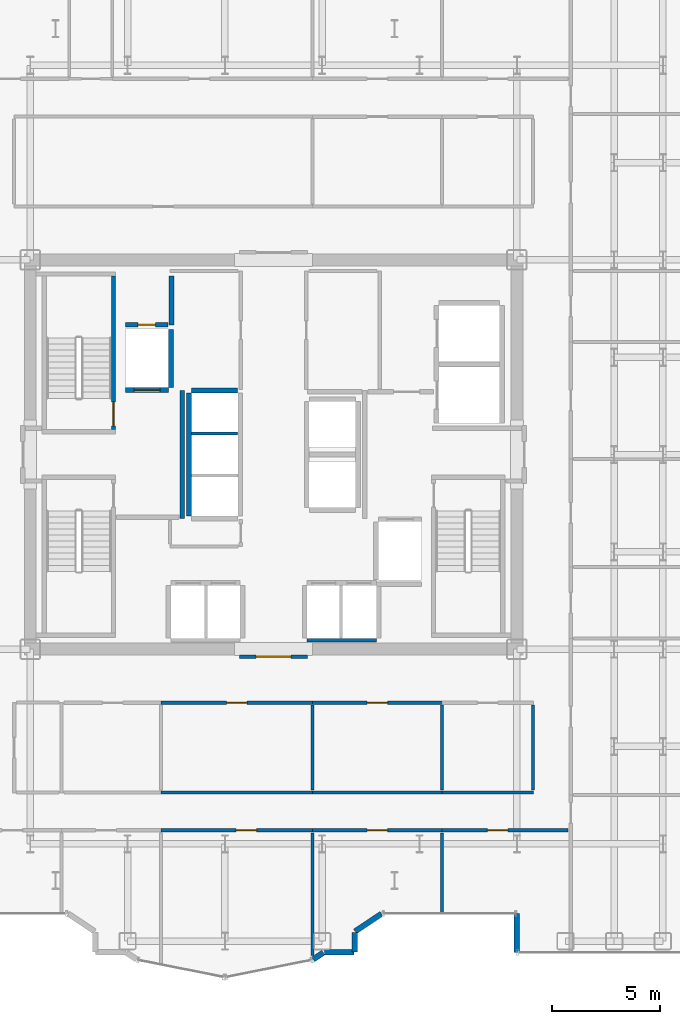
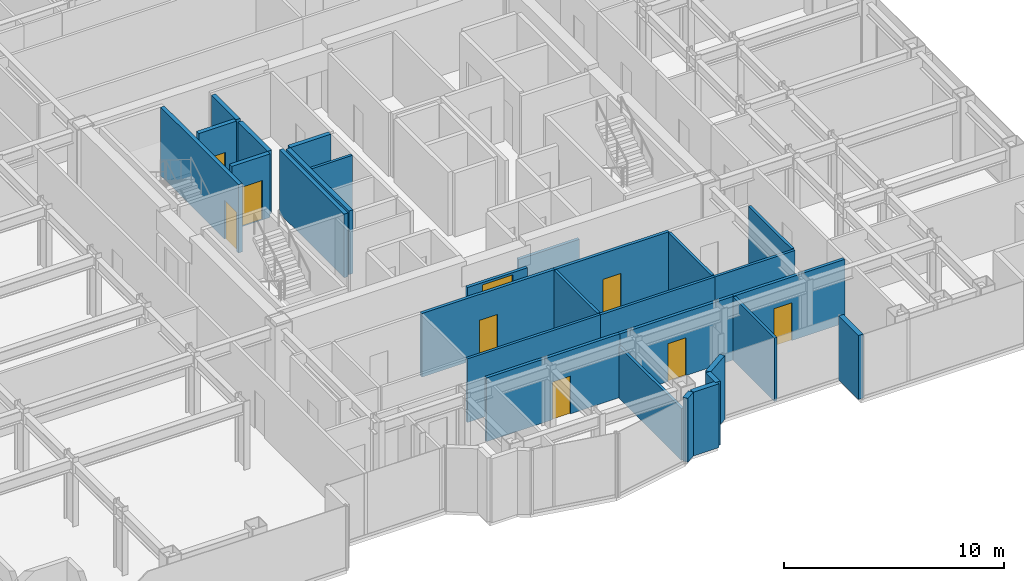
# One storey, part 18 of 23: 29 walls, 9 doors, 9 openings.
"""IFC4 building model written with IfcOpenShell, lengths in metres."""

from ifc_helpers import new_model, si_unit, direction, frame, frame_2d, origin, place, context, subcontext, project, spatial, rectangle, extrude, source, transform, mapped, material, layer, layer_set, type_object, element, fill, save


model = new_model("IFC4")

# Units and contexts
model_context = context("Model", 3, precision=1e-05, world=origin(), true_north=direction((0.0, 1.0)))
body_context = subcontext(model_context, "Body", "Model", "MODEL_VIEW")
ifc_project = project(units=[si_unit("LENGTHUNIT", "METRE"), si_unit("AREAUNIT", "SQUARE_METRE"), si_unit("VOLUMEUNIT", "CUBIC_METRE"), si_unit("PLANEANGLEUNIT", "RADIAN"), si_unit("MASSUNIT", "GRAM", prefix="KILO")], contexts=[model_context])

# Site, building, storey
site_placement = place(None, origin())
site = spatial("IfcSite", under=ifc_project, at=site_placement, CompositionType="ELEMENT")
building_placement = place(site_placement, origin())
building = spatial("IfcBuilding", under=site, at=building_placement, Name="Nefas-Gora Pilgrimage Tower", CompositionType="ELEMENT")
storey_placement = place(building_placement, frame((0.0, 0.0, 175.39990234375)))
storey = spatial("IfcBuildingStorey", under=building, at=storey_placement, Name="L43", CompositionType="ELEMENT", Elevation=175.39990234375)

# Walls
ifc_material_1 = material(Name="Precast concrete C40/50", Category="concrete")
ifc_layer_1 = layer(ifc_material_1, 0.260009765625)
ifc_layer_set_1 = layer_set([ifc_layer_1], Name="Precast concrete C40/50")
wall_type_1 = type_object("IfcWallType", Name="EW-PORTAL-260", PredefinedType="SOLIDWALL", material=ifc_layer_set_1)
shared_shape_1 = source(origin(), body_context, "Body", "SweptSolid", [
    extrude(rectangle(XDim=1.800048828125, YDim=0.260009765625, at=frame_2d((0.89990234375, 0.0))), origin(), (0.0, 0.0, 1.0), 3.550048828125),
])
wall_1_placement = place(storey_placement, frame((11.25, -21.219970703125, 0.0), z_axis=(0.0, 0.0, 1.0), x_axis=(0.0, -1.0, 0.0)))
element("IfcWall", 1, at=wall_1_placement, inside=storey, type_object=wall_type_1, Name="L43 Lobe Shoulder Precast Spandrel Pier 1", PredefinedType="SOLIDWALL", context=body_context, shape_type="MappedRepresentation", body=[
    mapped(shared_shape_1, transform((0.0, 0.0, 0.0), x_axis=(1.0, 0.0, 0.0), y_axis=(0.0, 1.0, 0.0), z_axis=(0.0, 0.0, 1.0), scale=1.0)),
])
shared_shape_2 = source(origin(), body_context, "Body", "SweptSolid", [
    extrude(rectangle(XDim=1.468994140625, YDim=0.260009765625, at=frame_2d((0.734375, 0.0))), origin(), (0.0, 0.0, 1.0), 3.550048828125),
])
wall_2_placement = place(storey_placement, frame((3.773193359375, -22.0517578125, 0.0), z_axis=(0.0, 0.0, 1.0), x_axis=(0.831461760506, 0.555581983884, 0.0)))
element("IfcWall", 2, at=wall_2_placement, inside=storey, type_object=wall_type_1, Name="L43 Lobe Shoulder Precast Spandrel Pier 36", PredefinedType="SOLIDWALL", context=body_context, shape_type="MappedRepresentation", body=[
    mapped(shared_shape_2, transform((0.0, 0.0, 0.0), x_axis=(1.0, 0.0, 0.0), y_axis=(0.0, 1.0, 0.0), z_axis=(0.0, 0.0, 1.0), scale=1.0)),
])
shared_shape_3 = source(origin(), body_context, "Body", "SweptSolid", [
    extrude(rectangle(XDim=0.896728515625, YDim=0.260009765625, at=frame_2d((0.4482421875, 0.0))), origin(), (0.0, 0.0, 1.0), 3.550048828125),
])
wall_3_placement = place(storey_placement, frame((3.75, -22.991943359375, 0.0), z_axis=(0.0, 0.0, 1.0), x_axis=(0.0, 1.0, 0.0)))
element("IfcWall", 3, at=wall_3_placement, inside=storey, type_object=wall_type_1, Name="L43 Lobe Shoulder Precast Spandrel Pier 35", PredefinedType="SOLIDWALL", context=body_context, shape_type="MappedRepresentation", body=[
    mapped(shared_shape_3, transform((0.0, 0.0, 0.0), x_axis=(1.0, 0.0, 0.0), y_axis=(0.0, 1.0, 0.0), z_axis=(0.0, 0.0, 1.0), scale=1.0)),
])
shared_shape_4 = source(origin(), body_context, "Body", "SweptSolid", [
    extrude(rectangle(XDim=1.369873046875, YDim=0.260009765625, at=frame_2d((0.68505859375, 0.0))), origin(), (0.0, 0.0, 1.0), 3.550048828125),
])
wall_4_placement = place(storey_placement, frame((2.35205078125, -23.02001953125, 0.0), z_axis=(0.0, 0.0, 1.0), x_axis=(1.0, 0.0, 0.0)))
element("IfcWall", 4, at=wall_4_placement, inside=storey, type_object=wall_type_1, Name="L43 Lobe Shoulder Precast Spandrel Pier 34", PredefinedType="SOLIDWALL", context=body_context, shape_type="MappedRepresentation", body=[
    mapped(shared_shape_4, transform((0.0, 0.0, 0.0), x_axis=(1.0, 0.0, 0.0), y_axis=(0.0, 1.0, 0.0), z_axis=(0.0, 0.0, 1.0), scale=1.0)),
])
shared_shape_5 = source(origin(), body_context, "Body", "SweptSolid", [
    extrude(rectangle(XDim=0.5654296875, YDim=0.260009765625, at=frame_2d((0.28271484375, 0.0))), origin(), (0.0, 0.0, 1.0), 3.550048828125),
])
wall_5_placement = place(storey_placement, frame((1.83056640625, -23.349609375, 0.0), z_axis=(0.0, 0.0, 1.0), x_axis=(0.831651492666, 0.555297933317, 0.0)))
element("IfcWall", 5, at=wall_5_placement, inside=storey, type_object=wall_type_1, Name="L43 Lobe Shoulder Precast Spandrel Pier 33", PredefinedType="SOLIDWALL", context=body_context, shape_type="MappedRepresentation", body=[
    mapped(shared_shape_5, transform((0.0, 0.0, 0.0), x_axis=(1.0, 0.0, 0.0), y_axis=(0.0, 1.0, 0.0), z_axis=(0.0, 0.0, 1.0), scale=1.0)),
])

# Wall, opening, door
ifc_material_2 = material(Name="Concrete C45/55", Category="concrete")
ifc_layer_2 = layer(ifc_material_2, 0.199951171875)
ifc_layer_set_2 = layer_set([ifc_layer_2], Name="Concrete C45/55")
wall_type_2 = type_object("IfcWallType", Name="IW-STAIR-200", PredefinedType="SOLIDWALL", material=ifc_layer_set_2)
shared_shape_6 = source(origin(), body_context, "Body", "SweptSolid", [
    extrude(rectangle(XDim=7.10009765625, YDim=0.199951171875, at=frame_2d((3.550048828125, 0.0))), origin(), (0.0, 0.0, 1.0), 3.800048828125),
])
wall_6_placement = place(storey_placement, frame((-7.39990234375, 1.14990234375, 0.0), z_axis=(0.0, 0.0, 1.0), x_axis=(0.0, 1.0, 0.0)))
wall_6 = element("IfcWall", 6, at=wall_6_placement, inside=storey, type_object=wall_type_2, Name="L43 Stairwell Shear Wall ST-01-left", PredefinedType="SOLIDWALL", context=body_context, shape_type="MappedRepresentation", body=[
    mapped(shared_shape_6, transform((0.0, 0.0, 0.0), x_axis=(1.0, 0.0, 0.0), y_axis=(0.0, 1.0, 0.0), z_axis=(0.0, 0.0, 1.0), scale=1.0)),
])
opening_1_placement = place(wall_6_placement, frame((0.179931640625, 0.0, 0.0)))
opening_1 = element("IfcOpeningElement", 7, at=opening_1_placement, cuts=wall_6, Name="Opening ID-ST1", PredefinedType="OPENING", context=body_context, shape_type="SweptSolid", body=[
    extrude(rectangle(XDim=1.10009765625, YDim=2.14990234375, at=frame_2d((0.550048828125, 1.074951171875))), frame((0.0, 0.10986328125, 0.0), z_axis=(0.0, -1.0, 0.0), x_axis=(1.0, 0.0, 0.0)), (0.0, 0.0, 1.0), 0.219970703125),
])
ifc_material_3 = material(Name="Painted galvanised steel fire stair door", Category="steel")
door_type_1 = type_object("IfcDoorType", Name="DR-INT-STAIR-1100", OperationType="NOTDEFINED", PredefinedType="DOOR", material=ifc_material_3)
shared_shape_7 = source(origin(), body_context, "Body", "SweptSolid", [
    extrude(rectangle(XDim=1.10009765625, YDim=2.14990234375, at=frame_2d((0.550048828125, 1.074951171875))), frame((0.0, 0.02490234375, 0.0), z_axis=(0.0, -1.0, 0.0), x_axis=(1.0, 0.0, 0.0)), (0.0, 0.0, 1.0), 0.050048828125),
])
door_1_placement = place(opening_1_placement, origin())
door_1 = element("IfcDoor", 8, at=door_1_placement, inside=storey, type_object=door_type_1, Name="L43 Protected Exit Stair Door ST-01", OperationType="SINGLE_SWING_LEFT", OverallHeight=2.14990234375, OverallWidth=1.10009765625, PredefinedType="DOOR", context=body_context, shape_type="MappedRepresentation", body=[
    mapped(shared_shape_7, transform((0.0, 0.0, 0.0), x_axis=(1.0, 0.0, 0.0), y_axis=(0.0, 1.0, 0.0), z_axis=(0.0, 0.0, 1.0), scale=1.0)),
])
fill(opening_1, door_1)

# Wall
ifc_material_4 = material(Name="Gypsum acoustic stud partition")
ifc_layer_3 = layer(ifc_material_4, 0.159912109375)
ifc_layer_set_3 = layer_set([ifc_layer_3], Name="Gypsum acoustic stud partition")
wall_type_3 = type_object("IfcWallType", Name="IW-CORR-160", PredefinedType="PARTITIONING", material=ifc_layer_set_3)
shared_shape_8 = source(origin(), body_context, "Body", "SweptSolid", [
    extrude(rectangle(XDim=3.199951171875, YDim=0.159912109375, at=frame_2d((1.60009765625, 0.0))), origin(), (0.0, 0.0, 1.0), 2.425048828125),
])
wall_7_placement = place(storey_placement, frame((1.550048828125, -8.580078125, 0.0), z_axis=(0.0, 0.0, 1.0), x_axis=(1.0, 0.0, 0.0)))
element("IfcWall", 9, at=wall_7_placement, inside=storey, type_object=wall_type_3, Name="L43 Hoistway Wall PL2-E-S", PredefinedType="PARTITIONING", context=body_context, shape_type="MappedRepresentation", body=[
    mapped(shared_shape_8, transform((0.0, 0.0, 0.0), x_axis=(1.0, 0.0, 0.0), y_axis=(0.0, 1.0, 0.0), z_axis=(0.0, 0.0, 1.0), scale=1.0)),
])

# Wall, opening, door
ifc_material_5 = material(Name="Concrete C40/50", Category="concrete")
ifc_layer_4 = layer(ifc_material_5, 0.219970703125)
ifc_layer_set_4 = layer_set([ifc_layer_4], Name="Concrete C40/50")
wall_type_4 = type_object("IfcWallType", Name="IW-SHAFT-220", PredefinedType="SOLIDWALL", material=ifc_layer_set_4)
shared_shape_9 = source(origin(), body_context, "Body", "SweptSolid", [
    extrude(rectangle(XDim=2.0, YDim=0.219970703125, at=frame_2d((1.0, 0.0))), origin(), (0.0, 0.0, 1.0), 3.53515625),
])
wall_8_placement = place(storey_placement, frame((-6.85009765625, 2.989990234375, 0.0), z_axis=(0.0, 0.0, 1.0), x_axis=(1.0, 0.0, 0.0)))
wall_8 = element("IfcWall", 10, at=wall_8_placement, inside=storey, type_object=wall_type_4, Name="L43 Hoistway Wall FFL-01-S", PredefinedType="SOLIDWALL", context=body_context, shape_type="MappedRepresentation", body=[
    mapped(shared_shape_9, transform((0.0, 0.0, 0.0), x_axis=(1.0, 0.0, 0.0), y_axis=(0.0, 1.0, 0.0), z_axis=(0.0, 0.0, 1.0), scale=1.0)),
])
opening_2_placement = place(wall_8_placement, frame((0.39990234375, 0.0, 0.0)))
opening_2 = element("IfcOpeningElement", 11, at=opening_2_placement, cuts=wall_8, Name="Opening LD-FF", PredefinedType="OPENING", context=body_context, shape_type="SweptSolid", body=[
    extrude(rectangle(XDim=1.199951171875, YDim=2.199951171875, at=frame_2d((0.60009765625, 1.10009765625))), frame((0.0, 0.119873046875, 0.0), z_axis=(0.0, -1.0, 0.0), x_axis=(1.0, 0.0, 0.0)), (0.0, 0.0, 1.0), 0.239990234375),
])
ifc_material_6 = material(Name="Fire-service sliding lift landing door")
door_type_2 = type_object("IfcDoorType", Name="DR-LIFT-FSAE-1200", OperationType="SLIDING_TO_LEFT", PredefinedType="DOOR", material=ifc_material_6)
shared_shape_10 = source(origin(), body_context, "Body", "SweptSolid", [
    extrude(rectangle(XDim=1.199951171875, YDim=2.199951171875, at=frame_2d((0.60009765625, 1.10009765625))), frame((0.0, 0.02490234375, 0.0), z_axis=(0.0, -1.0, 0.0), x_axis=(1.0, 0.0, 0.0)), (0.0, 0.0, 1.0), 0.050048828125),
])
door_2_placement = place(opening_2_placement, origin())
door_2 = element("IfcDoor", 12, at=door_2_placement, inside=storey, type_object=door_type_2, Name="L43 Sliding Lift Landing Door FFL-01", OperationType="SLIDING_TO_LEFT", OverallHeight=2.199951171875, OverallWidth=1.199951171875, PredefinedType="DOOR", context=body_context, shape_type="MappedRepresentation", body=[
    mapped(shared_shape_10, transform((0.0, 0.0, 0.0), x_axis=(1.0, 0.0, 0.0), y_axis=(0.0, 1.0, 0.0), z_axis=(0.0, 0.0, 1.0), scale=1.0)),
])
fill(opening_2, door_2)

# Walls
shared_shape_11 = source(origin(), body_context, "Body", "SweptSolid", [
    extrude(rectangle(XDim=2.679931640625, YDim=0.219970703125, at=frame_2d((1.33984375, 0.0))), origin(), (0.0, 0.0, 1.0), 3.53515625),
])
wall_9_placement = place(storey_placement, frame((-4.739990234375, 3.110107421875, 0.0), z_axis=(0.0, 0.0, 1.0), x_axis=(0.0, 1.0, 0.0)))
element("IfcWall", 13, at=wall_9_placement, inside=storey, type_object=wall_type_4, Name="L43 Hoistway Wall FFL-01-E", PredefinedType="SOLIDWALL", context=body_context, shape_type="MappedRepresentation", body=[
    mapped(shared_shape_11, transform((0.0, 0.0, 0.0), x_axis=(1.0, 0.0, 0.0), y_axis=(0.0, 1.0, 0.0), z_axis=(0.0, 0.0, 1.0), scale=1.0)),
])
shared_shape_12 = source(origin(), body_context, "Body", "SweptSolid", [
    extrude(rectangle(XDim=5.7001953125, YDim=0.219970703125, at=frame_2d((2.85009765625, 0.0))), origin(), (0.0, 0.0, 1.0), 3.53515625),
])
wall_10_placement = place(storey_placement, frame((-3.909912109375, 2.85009765625, 0.0), z_axis=(0.0, 0.0, 1.0), x_axis=(0.0, -1.0, 0.0)))
element("IfcWall", 14, at=wall_10_placement, inside=storey, type_object=wall_type_4, Name="L43 Hoistway Wall PL3-01-03-W", PredefinedType="SOLIDWALL", context=body_context, shape_type="MappedRepresentation", body=[
    mapped(shared_shape_12, transform((0.0, 0.0, 0.0), x_axis=(1.0, 0.0, 0.0), y_axis=(0.0, 1.0, 0.0), z_axis=(0.0, 0.0, 1.0), scale=1.0)),
])
shared_shape_13 = source(origin(), body_context, "Body", "SweptSolid", [
    extrude(rectangle(XDim=2.130126953125, YDim=0.219970703125, at=frame_2d((1.06494140625, 0.0))), origin(), (0.0, 0.0, 1.0), 3.53515625),
])
wall_11_placement = place(storey_placement, frame((-1.659912109375, 2.9599609375, 0.0), z_axis=(0.0, 0.0, 1.0), x_axis=(-1.0, 0.0, 0.0)))
element("IfcWall", 15, at=wall_11_placement, inside=storey, type_object=wall_type_4, Name="L43 Hoistway Wall PL3-03-N", PredefinedType="SOLIDWALL", context=body_context, shape_type="MappedRepresentation", body=[
    mapped(shared_shape_13, transform((0.0, 0.0, 0.0), x_axis=(1.0, 0.0, 0.0), y_axis=(0.0, 1.0, 0.0), z_axis=(0.0, 0.0, 1.0), scale=1.0)),
])
ifc_material_7 = material(Name="Gypsum twin-stud partition")
ifc_layer_5 = layer(ifc_material_7, 0.139892578125)
ifc_layer_set_5 = layer_set([ifc_layer_5], Name="Gypsum twin-stud partition")
wall_type_5 = type_object("IfcWallType", Name="IW-UNIT-140", PredefinedType="PARTITIONING", material=ifc_layer_set_5)
shared_shape_14 = source(origin(), body_context, "Body", "SweptSolid", [
    extrude(rectangle(XDim=2.130126953125, YDim=0.139892578125, at=frame_2d((1.06494140625, 0.0))), origin(), (0.0, 0.0, 1.0), 3.53515625),
])
wall_12_placement = place(storey_placement, frame((-3.7900390625, 0.97509765625, 0.0), z_axis=(0.0, 0.0, 1.0), x_axis=(1.0, 0.0, 0.0)))
element("IfcWall", 16, at=wall_12_placement, inside=storey, type_object=wall_type_5, Name="L43 Hoistway Wall PL3-02-03-DIV", PredefinedType="PARTITIONING", context=body_context, shape_type="MappedRepresentation", body=[
    mapped(shared_shape_14, transform((0.0, 0.0, 0.0), x_axis=(1.0, 0.0, 0.0), y_axis=(0.0, 1.0, 0.0), z_axis=(0.0, 0.0, 1.0), scale=1.0)),
])
ifc_material_8 = material(Name="Gypsum fire-rated shaftwall")
ifc_layer_6 = layer(ifc_material_8, 0.199951171875)
ifc_layer_set_6 = layer_set([ifc_layer_6], Name="Gypsum fire-rated shaftwall")
wall_type_6 = type_object("IfcWallType", Name="IW-FFLOB-200", PredefinedType="PARTITIONING", material=ifc_layer_set_6)
shared_shape_15 = source(origin(), body_context, "Body", "SweptSolid", [
    extrude(rectangle(XDim=5.89990234375, YDim=0.199951171875, at=frame_2d((2.949951171875, 0.0))), origin(), (0.0, 0.0, 1.0), 3.53515625),
])
wall_13_placement = place(storey_placement, frame((-4.219970703125, -2.949951171875, 0.0), z_axis=(0.0, 0.0, 1.0), x_axis=(0.0, 1.0, 0.0)))
element("IfcWall", 17, at=wall_13_placement, inside=storey, type_object=wall_type_6, Name="L43 FF Lobby West Inner Wall Wall 5", PredefinedType="PARTITIONING", context=body_context, shape_type="MappedRepresentation", body=[
    mapped(shared_shape_15, transform((0.0, 0.0, 0.0), x_axis=(1.0, 0.0, 0.0), y_axis=(0.0, 1.0, 0.0), z_axis=(0.0, 0.0, 1.0), scale=1.0)),
])

# Wall, opening, door
shared_shape_16 = source(origin(), body_context, "Body", "SweptSolid", [
    extrude(rectangle(XDim=6.010009765625, YDim=0.159912109375, at=frame_2d((3.0048828125, 0.0))), origin(), (0.0, 0.0, 1.0), 3.53515625),
])
wall_14_placement = place(storey_placement, frame((1.794921875, -17.3701171875, 0.0), z_axis=(0.0, 0.0, 1.0), x_axis=(1.0, 0.0, 0.0)))
wall_14 = element("IfcWall", 18, at=wall_14_placement, inside=storey, type_object=wall_type_3, Name="L43 Pilgrim Contemplative Lounge Partition Wall 80", PredefinedType="PARTITIONING", context=body_context, shape_type="MappedRepresentation", body=[
    mapped(shared_shape_16, transform((0.0, 0.0, 0.0), x_axis=(1.0, 0.0, 0.0), y_axis=(0.0, 1.0, 0.0), z_axis=(0.0, 0.0, 1.0), scale=1.0)),
])
opening_3_placement = place(wall_14_placement, frame((2.530029296875, 0.0, 0.0)))
opening_3 = element("IfcOpeningElement", 19, at=opening_3_placement, cuts=wall_14, Name="Opening ID-GR1", PredefinedType="OPENING", context=body_context, shape_type="SweptSolid", body=[
    extrude(rectangle(XDim=0.949951171875, YDim=2.10009765625, at=frame_2d((0.47509765625, 1.050048828125))), frame((0.0, 0.08984375, 0.0), z_axis=(0.0, -1.0, 0.0), x_axis=(1.0, 0.0, 0.0)), (0.0, 0.0, 1.0), 0.179931640625),
])
ifc_material_9 = material(Name="Solid core oak fire-rated guest entrance door")
door_type_3 = type_object("IfcDoorType", Name="DR-INT-GUEST-950", OperationType="NOTDEFINED", PredefinedType="DOOR", material=ifc_material_9)
shared_shape_17 = source(origin(), body_context, "Body", "SweptSolid", [
    extrude(rectangle(XDim=0.949951171875, YDim=2.10009765625, at=frame_2d((0.47509765625, 1.050048828125))), frame((0.0, 0.02490234375, 0.0), z_axis=(0.0, -1.0, 0.0), x_axis=(1.0, 0.0, 0.0)), (0.0, 0.0, 1.0), 0.050048828125),
])
door_3_placement = place(opening_3_placement, origin())
door_3 = element("IfcDoor", 20, at=door_3_placement, inside=storey, type_object=door_type_3, Name="L43 Pilgrim Contemplative Lounge Door 35", OperationType="SINGLE_SWING_RIGHT", OverallHeight=2.10009765625, OverallWidth=0.949951171875, PredefinedType="DOOR", context=body_context, shape_type="MappedRepresentation", body=[
    mapped(shared_shape_17, transform((0.0, 0.0, 0.0), x_axis=(1.0, 0.0, 0.0), y_axis=(0.0, 1.0, 0.0), z_axis=(0.0, 0.0, 1.0), scale=1.0)),
])
fill(opening_3, door_3)

wall_15_placement = place(storey_placement, frame((1.794921875, -11.469970703125, 0.0), z_axis=(0.0, 0.0, 1.0), x_axis=(1.0, 0.0, 0.0)))
wall_15 = element("IfcWall", 21, at=wall_15_placement, inside=storey, type_object=wall_type_3, Name="L43 Pilgrim Contemplative Lounge Partition Wall 82", PredefinedType="PARTITIONING", context=body_context, shape_type="MappedRepresentation", body=[
    mapped(shared_shape_16, transform((0.0, 0.0, 0.0), x_axis=(1.0, 0.0, 0.0), y_axis=(0.0, 1.0, 0.0), z_axis=(0.0, 0.0, 1.0), scale=1.0)),
])
opening_4_placement = place(wall_15_placement, frame((2.530029296875, 0.0, 0.0)))
opening_4 = element("IfcOpeningElement", 22, at=opening_4_placement, cuts=wall_15, Name="Opening ID-GR1", PredefinedType="OPENING", context=body_context, shape_type="SweptSolid", body=[
    extrude(rectangle(XDim=0.949951171875, YDim=2.10009765625, at=frame_2d((0.47509765625, 1.050048828125))), frame((0.0, 0.08984375, 0.0), z_axis=(0.0, -1.0, 0.0), x_axis=(1.0, 0.0, 0.0)), (0.0, 0.0, 1.0), 0.179931640625),
])
door_4_placement = place(opening_4_placement, origin())
door_4 = element("IfcDoor", 23, at=door_4_placement, inside=storey, type_object=door_type_3, Name="L43 Pilgrim Contemplative Lounge Door 36", OperationType="SINGLE_SWING_LEFT", OverallHeight=2.10009765625, OverallWidth=0.949951171875, PredefinedType="DOOR", context=body_context, shape_type="MappedRepresentation", body=[
    mapped(shared_shape_17, transform((0.0, 0.0, 0.0), x_axis=(1.0, 0.0, 0.0), y_axis=(0.0, 1.0, 0.0), z_axis=(0.0, 0.0, 1.0), scale=1.0)),
])
fill(opening_4, door_4)

shared_shape_18 = source(origin(), body_context, "Body", "SweptSolid", [
    extrude(rectangle(XDim=5.8251953125, YDim=0.159912109375, at=frame_2d((2.91259765625, 0.0))), origin(), (0.0, 0.0, 1.0), 3.53515625),
])
wall_16_placement = place(storey_placement, frame((7.794921875, -17.3701171875, 0.0), z_axis=(0.0, 0.0, 1.0), x_axis=(1.0, 0.0, 0.0)))
wall_16 = element("IfcWall", 24, at=wall_16_placement, inside=storey, type_object=wall_type_3, Name="L43 Pilgrim Contemplative Lounge Partition Wall 85", PredefinedType="PARTITIONING", context=body_context, shape_type="MappedRepresentation", body=[
    mapped(shared_shape_18, transform((0.0, 0.0, 0.0), x_axis=(1.0, 0.0, 0.0), y_axis=(0.0, 1.0, 0.0), z_axis=(0.0, 0.0, 1.0), scale=1.0)),
])
opening_5_placement = place(wall_16_placement, frame((2.09228515625, 0.0, 0.0)))
opening_5 = element("IfcOpeningElement", 25, at=opening_5_placement, cuts=wall_16, Name="Opening ID-GR1", PredefinedType="OPENING", context=body_context, shape_type="SweptSolid", body=[
    extrude(rectangle(XDim=0.949951171875, YDim=2.10009765625, at=frame_2d((0.47509765625, 1.050048828125))), frame((0.0, 0.08984375, 0.0), z_axis=(0.0, -1.0, 0.0), x_axis=(1.0, 0.0, 0.0)), (0.0, 0.0, 1.0), 0.179931640625),
])
door_5_placement = place(opening_5_placement, origin())
door_5 = element("IfcDoor", 26, at=door_5_placement, inside=storey, type_object=door_type_3, Name="L43 Pilgrim Contemplative Lounge Door 37", OperationType="SINGLE_SWING_RIGHT", OverallHeight=2.10009765625, OverallWidth=0.949951171875, PredefinedType="DOOR", context=body_context, shape_type="MappedRepresentation", body=[
    mapped(shared_shape_17, transform((0.0, 0.0, 0.0), x_axis=(1.0, 0.0, 0.0), y_axis=(0.0, 1.0, 0.0), z_axis=(0.0, 0.0, 1.0), scale=1.0)),
])
fill(opening_5, door_5)

shared_shape_19 = source(origin(), body_context, "Body", "SweptSolid", [
    extrude(rectangle(XDim=3.16015625, YDim=0.159912109375, at=frame_2d((1.580078125, 0.0))), origin(), (0.0, 0.0, 1.0), 2.425048828125),
])
wall_17_placement = place(storey_placement, frame((-1.580078125, -9.35009765625, 0.0), z_axis=(0.0, 0.0, 1.0), x_axis=(1.0, 0.0, 0.0)))
wall_17 = element("IfcWall", 27, at=wall_17_placement, inside=storey, type_object=wall_type_3, Name="L43 Central Lift Lobby South Portal Wall 16", PredefinedType="PARTITIONING", context=body_context, shape_type="MappedRepresentation", body=[
    mapped(shared_shape_19, transform((0.0, 0.0, 0.0), x_axis=(1.0, 0.0, 0.0), y_axis=(0.0, 1.0, 0.0), z_axis=(0.0, 0.0, 1.0), scale=1.0)),
])
opening_6_placement = place(wall_17_placement, frame((0.780029296875, 0.0, 0.0)))
opening_6 = element("IfcOpeningElement", 28, at=opening_6_placement, cuts=wall_17, Name="Opening ID-HL1", PredefinedType="OPENING", context=body_context, shape_type="SweptSolid", body=[
    extrude(rectangle(XDim=1.60009765625, YDim=2.300048828125, at=frame_2d((0.800048828125, 1.14990234375))), frame((0.0, 0.08984375, 0.0), z_axis=(0.0, -1.0, 0.0), x_axis=(1.0, 0.0, 0.0)), (0.0, 0.0, 1.0), 0.179931640625),
])
ifc_material_10 = material(Name="Double acoustic timber assembly hall door", Category="wood")
door_type_4 = type_object("IfcDoorType", Name="DR-INT-HALL-1600", OperationType="DOUBLE_DOOR_SINGLE_SWING", PredefinedType="DOOR", material=ifc_material_10)
shared_shape_20 = source(origin(), body_context, "Body", "SweptSolid", [
    extrude(rectangle(XDim=1.60009765625, YDim=2.300048828125, at=frame_2d((0.800048828125, 1.14990234375))), frame((0.0, 0.02490234375, 0.0), z_axis=(0.0, -1.0, 0.0), x_axis=(1.0, 0.0, 0.0)), (0.0, 0.0, 1.0), 0.050048828125),
])
door_6_placement = place(opening_6_placement, origin())
door_6 = element("IfcDoor", 29, at=door_6_placement, inside=storey, type_object=door_type_4, Name="L43 Central Lift Lobby South Portal Door 6", OperationType="DOUBLE_DOOR_SINGLE_SWING", OverallHeight=2.300048828125, OverallWidth=1.60009765625, PredefinedType="DOOR", context=body_context, shape_type="MappedRepresentation", body=[
    mapped(shared_shape_20, transform((0.0, 0.0, 0.0), x_axis=(1.0, 0.0, 0.0), y_axis=(0.0, 1.0, 0.0), z_axis=(0.0, 0.0, 1.0), scale=1.0)),
])
fill(opening_6, door_6)

# Wall
shared_shape_21 = source(origin(), body_context, "Body", "SweptSolid", [
    extrude(rectangle(XDim=2.25, YDim=0.219970703125, at=frame_2d((1.125, 0.0))), origin(), (0.0, 0.0, 1.0), 3.53515625),
])
wall_18_placement = place(storey_placement, frame((-4.719970703125, 6.0, 0.0), z_axis=(0.0, 0.0, 1.0), x_axis=(0.0, 1.0, 0.0)))
element("IfcWall", 30, at=wall_18_placement, inside=storey, type_object=wall_type_4, Name="L43 Riser Shaft Wall 1", PredefinedType="SOLIDWALL", context=body_context, shape_type="MappedRepresentation", body=[
    mapped(shared_shape_21, transform((0.0, 0.0, 0.0), x_axis=(1.0, 0.0, 0.0), y_axis=(0.0, 1.0, 0.0), z_axis=(0.0, 0.0, 1.0), scale=1.0)),
])

# Wall, opening, door
shared_shape_22 = source(origin(), body_context, "Body", "SweptSolid", [
    extrude(rectangle(XDim=1.97998046875, YDim=0.219970703125, at=frame_2d((0.989990234375, 0.0))), origin(), (0.0, 0.0, 1.0), 3.53515625),
])
wall_19_placement = place(storey_placement, frame((-6.85009765625, 6.0, 0.0), z_axis=(0.0, 0.0, 1.0), x_axis=(1.0, 0.0, 0.0)))
wall_19 = element("IfcWall", 31, at=wall_19_placement, inside=storey, type_object=wall_type_4, Name="L43 Riser Shaft Wall 2", PredefinedType="SOLIDWALL", context=body_context, shape_type="MappedRepresentation", body=[
    mapped(shared_shape_22, transform((0.0, 0.0, 0.0), x_axis=(1.0, 0.0, 0.0), y_axis=(0.0, 1.0, 0.0), z_axis=(0.0, 0.0, 1.0), scale=1.0)),
])
opening_7_placement = place(wall_19_placement, frame((0.590087890625, 0.0, 0.0)))
opening_7 = element("IfcOpeningElement", 32, at=opening_7_placement, cuts=wall_19, Name="Opening ID-TR1", PredefinedType="OPENING", context=body_context, shape_type="SweptSolid", body=[
    extrude(rectangle(XDim=0.800048828125, YDim=2.0, at=frame_2d((0.39990234375, 1.0))), frame((0.0, 0.119873046875, 0.0), z_axis=(0.0, -1.0, 0.0), x_axis=(1.0, 0.0, 0.0)), (0.0, 0.0, 1.0), 0.239990234375),
])
ifc_material_11 = material(Name="Riser maintenance fire access door")
door_type_5 = type_object("IfcDoorType", Name="DR-INT-TRAP-800", OperationType="NOTDEFINED", PredefinedType="TRAPDOOR", material=ifc_material_11)
shared_shape_23 = source(origin(), body_context, "Body", "SweptSolid", [
    extrude(rectangle(XDim=0.800048828125, YDim=2.0, at=frame_2d((0.39990234375, 1.0))), frame((0.0, 0.02490234375, 0.0), z_axis=(0.0, -1.0, 0.0), x_axis=(1.0, 0.0, 0.0)), (0.0, 0.0, 1.0), 0.050048828125),
])
door_7_placement = place(opening_7_placement, origin())
door_7 = element("IfcDoor", 33, at=door_7_placement, inside=storey, type_object=door_type_5, Name="L43 Riser Shaft Door 1", OperationType="SINGLE_SWING_RIGHT", OverallHeight=2.0, OverallWidth=0.800048828125, PredefinedType="TRAPDOOR", context=body_context, shape_type="MappedRepresentation", body=[
    mapped(shared_shape_23, transform((0.0, 0.0, 0.0), x_axis=(1.0, 0.0, 0.0), y_axis=(0.0, 1.0, 0.0), z_axis=(0.0, 0.0, 1.0), scale=1.0)),
])
fill(opening_7, door_7)

# Walls
shared_shape_24 = source(origin(), body_context, "Body", "SweptSolid", [
    extrude(rectangle(XDim=3.929931640625, YDim=0.139892578125, at=frame_2d((1.96484375, 0.0))), origin(), (0.0, 0.0, 1.0), 3.53515625),
])
for number, where, z_axis, x_axis, name in (
    (34, (1.794921875, -15.52001953125, 0.0), (0.0, 0.0, 1.0), (0.0, 1.0, 0.0), "L43 Pilgrim Contemplative Lounge Partition Wall 79"),
    (35, (7.794921875, -15.52001953125, 0.0), (0.0, 0.0, 1.0), (0.0, 1.0, 0.0), "L43 Pilgrim Contemplative Lounge Partition Wall 84"),
    (36, (12.0, -15.52001953125, 0.0), (0.0, 0.0, 1.0), (0.0, 1.0, 0.0), "L43 Pilgrim Contemplative Lounge Partition Wall 88"),
):
    element("IfcWall", number, at=place(storey_placement, frame(where, z_axis=z_axis, x_axis=x_axis)), inside=storey, type_object=wall_type_5, Name=name, PredefinedType="PARTITIONING", context=body_context, shape_type="MappedRepresentation", body=[
        mapped(shared_shape_24, transform((0.0, 0.0, 0.0), x_axis=(1.0, 0.0, 0.0), y_axis=(0.0, 1.0, 0.0), z_axis=(0.0, 0.0, 1.0), scale=1.0)),
    ])
shared_shape_25 = source(origin(), body_context, "Body", "SweptSolid", [
    extrude(rectangle(XDim=3.75, YDim=0.139892578125, at=frame_2d((1.875, 0.0))), origin(), (0.0, 0.0, 1.0), 3.53515625),
])
wall_20_placement = place(storey_placement, frame((7.794921875, -21.239990234375, 0.0), z_axis=(0.0, 0.0, 1.0), x_axis=(0.0, 1.0, 0.0)))
element("IfcWall", 37, at=wall_20_placement, inside=storey, type_object=wall_type_5, Name="L43 Pilgrim Contemplative Lounge Partition Wall 81", PredefinedType="PARTITIONING", context=body_context, shape_type="MappedRepresentation", body=[
    mapped(shared_shape_25, transform((0.0, 0.0, 0.0), x_axis=(1.0, 0.0, 0.0), y_axis=(0.0, 1.0, 0.0), z_axis=(0.0, 0.0, 1.0), scale=1.0)),
])
shared_shape_26 = source(origin(), body_context, "Body", "SweptSolid", [
    extrude(rectangle(XDim=5.681396484375, YDim=0.139892578125, at=frame_2d((2.8408203125, 0.0))), origin(), (0.0, 0.0, 1.0), 2.875),
])
wall_21_placement = place(storey_placement, frame((1.794921875, -23.17138671875, 0.0), z_axis=(0.0, 0.0, 1.0), x_axis=(0.0, 1.0, 0.0)))
element("IfcWall", 38, at=wall_21_placement, inside=storey, type_object=wall_type_5, Name="L43 Pilgrim Contemplative Lounge Partition Wall 76", PredefinedType="PARTITIONING", context=body_context, shape_type="MappedRepresentation", body=[
    mapped(shared_shape_26, transform((0.0, 0.0, 0.0), x_axis=(1.0, 0.0, 0.0), y_axis=(0.0, 1.0, 0.0), z_axis=(0.0, 0.0, 1.0), scale=1.0)),
])
shared_shape_27 = source(origin(), body_context, "Body", "SweptSolid", [
    extrude(rectangle(XDim=6.010009765625, YDim=0.139892578125, at=frame_2d((3.0048828125, 0.0))), origin(), (0.0, 0.0, 1.0), 3.53515625),
])
wall_22_placement = place(storey_placement, frame((1.794921875, -15.6298828125, 0.0), z_axis=(0.0, 0.0, 1.0), x_axis=(1.0, 0.0, 0.0)))
element("IfcWall", 39, at=wall_22_placement, inside=storey, type_object=wall_type_5, Name="L43 Pilgrim Contemplative Lounge Partition Wall 83", PredefinedType="PARTITIONING", context=body_context, shape_type="MappedRepresentation", body=[
    mapped(shared_shape_27, transform((0.0, 0.0, 0.0), x_axis=(1.0, 0.0, 0.0), y_axis=(0.0, 1.0, 0.0), z_axis=(0.0, 0.0, 1.0), scale=1.0)),
])
shared_shape_28 = source(origin(), body_context, "Body", "SweptSolid", [
    extrude(rectangle(XDim=4.215087890625, YDim=0.139892578125, at=frame_2d((2.107421875, 0.0))), origin(), (0.0, 0.0, 1.0), 3.53515625),
])
wall_23_placement = place(storey_placement, frame((7.794921875, -15.6298828125, 0.0), z_axis=(0.0, 0.0, 1.0), x_axis=(1.0, 0.0, 0.0)))
element("IfcWall", 40, at=wall_23_placement, inside=storey, type_object=wall_type_5, Name="L43 Pilgrim Contemplative Lounge Partition Wall 87", PredefinedType="PARTITIONING", context=body_context, shape_type="MappedRepresentation", body=[
    mapped(shared_shape_28, transform((0.0, 0.0, 0.0), x_axis=(1.0, 0.0, 0.0), y_axis=(0.0, 1.0, 0.0), z_axis=(0.0, 0.0, 1.0), scale=1.0)),
])

# Wall, opening, door
shared_shape_29 = source(origin(), body_context, "Body", "SweptSolid", [
    extrude(rectangle(XDim=7.010009765625, YDim=0.159912109375, at=frame_2d((3.5048828125, 0.0))), origin(), (0.0, 0.0, 1.0), 3.53515625),
])
wall_24_placement = place(storey_placement, frame((-5.205078125, -17.3701171875, 0.0), z_axis=(0.0, 0.0, 1.0), x_axis=(1.0, 0.0, 0.0)))
wall_24 = element("IfcWall", 41, at=wall_24_placement, inside=storey, type_object=wall_type_3, Name="L43 Pilgrim Contemplative Lounge Partition Wall 75", PredefinedType="PARTITIONING", context=body_context, shape_type="MappedRepresentation", body=[
    mapped(shared_shape_29, transform((0.0, 0.0, 0.0), x_axis=(1.0, 0.0, 0.0), y_axis=(0.0, 1.0, 0.0), z_axis=(0.0, 0.0, 1.0), scale=1.0)),
])
opening_8_placement = place(wall_24_placement, frame((3.469970703125, 0.0, 0.0)))
opening_8 = element("IfcOpeningElement", 42, at=opening_8_placement, cuts=wall_24, Name="Opening ID-GR1", PredefinedType="OPENING", context=body_context, shape_type="SweptSolid", body=[
    extrude(rectangle(XDim=0.949951171875, YDim=2.10009765625, at=frame_2d((0.47509765625, 1.050048828125))), frame((0.0, 0.08984375, 0.0), z_axis=(0.0, -1.0, 0.0), x_axis=(1.0, 0.0, 0.0)), (0.0, 0.0, 1.0), 0.179931640625),
])
door_8_placement = place(opening_8_placement, origin())
door_8 = element("IfcDoor", 43, at=door_8_placement, inside=storey, type_object=door_type_3, Name="L43 Pilgrim Contemplative Lounge Door 33", OperationType="SINGLE_SWING_RIGHT", OverallHeight=2.10009765625, OverallWidth=0.949951171875, PredefinedType="DOOR", context=body_context, shape_type="MappedRepresentation", body=[
    mapped(shared_shape_17, transform((0.0, 0.0, 0.0), x_axis=(1.0, 0.0, 0.0), y_axis=(0.0, 1.0, 0.0), z_axis=(0.0, 0.0, 1.0), scale=1.0)),
])
fill(opening_8, door_8)

wall_25_placement = place(storey_placement, frame((-5.205078125, -11.469970703125, 0.0), z_axis=(0.0, 0.0, 1.0), x_axis=(1.0, 0.0, 0.0)))
wall_25 = element("IfcWall", 44, at=wall_25_placement, inside=storey, type_object=wall_type_3, Name="L43 Pilgrim Contemplative Lounge Partition Wall 77", PredefinedType="PARTITIONING", context=body_context, shape_type="MappedRepresentation", body=[
    mapped(shared_shape_29, transform((0.0, 0.0, 0.0), x_axis=(1.0, 0.0, 0.0), y_axis=(0.0, 1.0, 0.0), z_axis=(0.0, 0.0, 1.0), scale=1.0)),
])
opening_9_placement = place(wall_25_placement, frame((3.030029296875, 0.0, 0.0)))
opening_9 = element("IfcOpeningElement", 45, at=opening_9_placement, cuts=wall_25, Name="Opening ID-GR1", PredefinedType="OPENING", context=body_context, shape_type="SweptSolid", body=[
    extrude(rectangle(XDim=0.949951171875, YDim=2.10009765625, at=frame_2d((0.47509765625, 1.050048828125))), frame((0.0, 0.08984375, 0.0), z_axis=(0.0, -1.0, 0.0), x_axis=(1.0, 0.0, 0.0)), (0.0, 0.0, 1.0), 0.179931640625),
])
door_9_placement = place(opening_9_placement, origin())
door_9 = element("IfcDoor", 46, at=door_9_placement, inside=storey, type_object=door_type_3, Name="L43 Pilgrim Contemplative Lounge Door 34", OperationType="SINGLE_SWING_LEFT", OverallHeight=2.10009765625, OverallWidth=0.949951171875, PredefinedType="DOOR", context=body_context, shape_type="MappedRepresentation", body=[
    mapped(shared_shape_17, transform((0.0, 0.0, 0.0), x_axis=(1.0, 0.0, 0.0), y_axis=(0.0, 1.0, 0.0), z_axis=(0.0, 0.0, 1.0), scale=1.0)),
])
fill(opening_9, door_9)

# Wall
shared_shape_30 = source(origin(), body_context, "Body", "SweptSolid", [
    extrude(rectangle(XDim=7.010009765625, YDim=0.139892578125, at=frame_2d((3.5048828125, 0.0))), origin(), (0.0, 0.0, 1.0), 3.53515625),
])
wall_26_placement = place(storey_placement, frame((-5.205078125, -15.6298828125, 0.0), z_axis=(0.0, 0.0, 1.0), x_axis=(1.0, 0.0, 0.0)))
element("IfcWall", 47, at=wall_26_placement, inside=storey, type_object=wall_type_5, Name="L43 Pilgrim Contemplative Lounge Partition Wall 78", PredefinedType="PARTITIONING", context=body_context, shape_type="MappedRepresentation", body=[
    mapped(shared_shape_30, transform((0.0, 0.0, 0.0), x_axis=(1.0, 0.0, 0.0), y_axis=(0.0, 1.0, 0.0), z_axis=(0.0, 0.0, 1.0), scale=1.0)),
])

save(model, "model.ifc")
